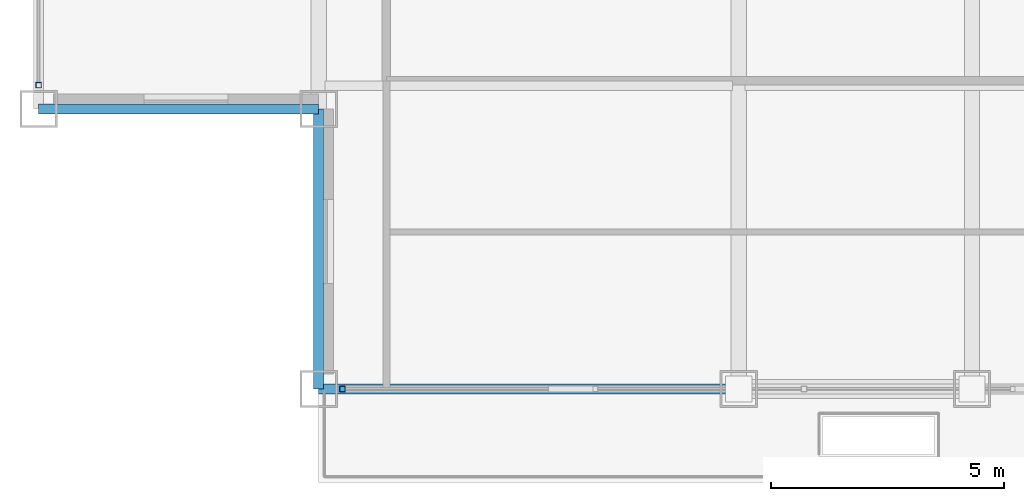
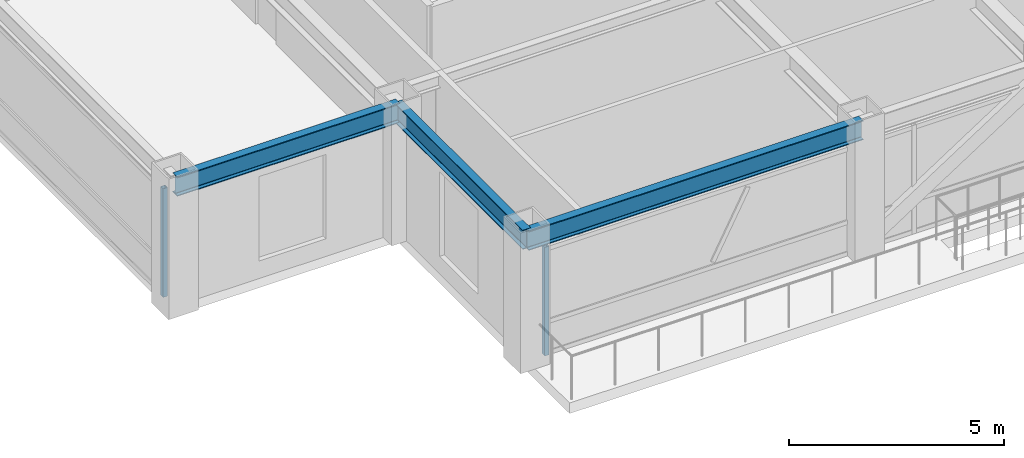
# One storey, part 2 of 30: 3 beams, 2 members, 2 elements without a shape of their own.
"""IFC4 building model written with IfcOpenShell, lengths in metres."""

from ifc_helpers import new_model, si_unit, direction, frame, origin, origin_2d, place, context, subcontext, project, spatial, hollow_rectangle, i_section, extrude, source, transform, mapped, material, material_profile, profile_set, type_object, element, aggregate, save


model = new_model("IFC4")

# Units and contexts
model_context = context("Model", 3, precision=1e-05, world=origin(), true_north=direction((0.0, 1.0)))
body_context = subcontext(model_context, "Body", "Model", "MODEL_VIEW")
ifc_project = project(units=[si_unit("LENGTHUNIT", "METRE"), si_unit("AREAUNIT", "SQUARE_METRE"), si_unit("VOLUMEUNIT", "CUBIC_METRE"), si_unit("PLANEANGLEUNIT", "RADIAN"), si_unit("MASSUNIT", "GRAM", prefix="KILO")], contexts=[model_context])

# Site, building, storey
site_placement = place(None, origin())
site = spatial("IfcSite", under=ifc_project, at=site_placement, CompositionType="ELEMENT")
building_placement = place(site_placement, origin())
building = spatial("IfcBuilding", under=site, at=building_placement, Name="Khorayat Bourse Tower", CompositionType="ELEMENT")
storey_placement = place(building_placement, frame((0.0, 0.0, 326.300048828125)))
storey = spatial("IfcBuildingStorey", under=building, at=storey_placement, Name="L77", CompositionType="ELEMENT", Elevation=326.300048828125)

# Beams
ifc_material_1 = material(Name="Steel ASTM A992 Grade 50", Category="steel")
ifc_material_profile_1 = material_profile(ifc_material_1, i_section(OverallWidth=0.214111328125, OverallDepth=0.549072265625, WebThickness=0.0146484375, FlangeThickness=0.023681640625, FilletRadius=0.013916015625, at=origin_2d()), Name="W530X138")
ifc_profile_set_1 = profile_set([ifc_material_profile_1], Name="Steel ASTM A992 Grade 50")
beam_type = type_object("IfcBeamType", Name="BM-SPAN-530", PredefinedType="SPANDREL", material=ifc_profile_set_1)
shared_shape_1 = source(origin(), body_context, "Body", "SweptSolid", [
    extrude(i_section(OverallWidth=0.214111328125, OverallDepth=0.549072265625, WebThickness=0.0146484375, FlangeThickness=0.023681640625, FilletRadius=0.013916015625, at=origin_2d()), origin(), (0.0, 0.0, 1.0), 9.0),
])
beam_placement = place(storey_placement, frame((-20.0, -26.0, 3.46533203125), z_axis=(1.0, 0.0, 0.0), x_axis=(0.0, 1.0, 0.0)))
element("IfcBeam", 1, at=beam_placement, inside=storey, type_object=beam_type, Name="L77 BM-SPAN-530 BM-L77-SPN-024", PredefinedType="SPANDREL", context=body_context, shape_type="MappedRepresentation", body=[
    mapped(shared_shape_1, transform((0.0, 0.0, 0.0), scale=1.0)),
])
shared_shape_2 = source(origin(), body_context, "Body", "SweptSolid", [
    extrude(i_section(OverallWidth=0.214111328125, OverallDepth=0.549072265625, WebThickness=0.0146484375, FlangeThickness=0.023681640625, FilletRadius=0.013916015625, at=origin_2d()), origin(), (0.0, 0.0, 1.0), 6.0),
])
for number, where, z_axis, x_axis, name in (
    (2, (-26.0, -20.0, 3.46533203125), (1.0, 0.0, 0.0), (0.0, 1.0, 0.0), "L77 BM-SPAN-530 BM-L77-SPN-054"),
    (3, (-20.0, -26.0, 3.46533203125), (0.0, 1.0, 0.0), (-1.0, 0.0, 0.0), "L77 BM-SPAN-530 BM-L77-SPN-055"),
):
    element("IfcBeam", number, at=place(storey_placement, frame(where, z_axis=z_axis, x_axis=x_axis)), inside=storey, type_object=beam_type, Name=name, PredefinedType="SPANDREL", context=body_context, shape_type="MappedRepresentation", body=[
        mapped(shared_shape_2, transform((0.0, 0.0, 0.0), scale=1.0)),
    ])

# Curtain wall, member
ifc_material_2 = material(Name="Aluminium EN AW-6063 T6", Category="aluminium")
curtain_wall_type = type_object("IfcCurtainWallType", Name="CW-SYS-04", PredefinedType="NOTDEFINED", material=ifc_material_2)
curtain_wall_1_placement = place(storey_placement, origin())
curtain_wall_1 = element("IfcCurtainWall", 4, at=curtain_wall_1_placement, inside=storey, type_object=curtain_wall_type, Name="L77 Curtain Wall CW-L77-S1", PredefinedType="NOTDEFINED")
ifc_material_profile_2 = material_profile(ifc_material_2, hollow_rectangle(XDim=0.1201171875, YDim=0.1201171875, WallThickness=0.0048828125, at=origin_2d()), Name="ALU 120x120x5")
ifc_profile_set_2 = profile_set([ifc_material_profile_2], Name="Aluminium EN AW-6063 T6")
member_type = type_object("IfcMemberType", Name="CWM-VERT-120", PredefinedType="MULLION", material=ifc_profile_set_2)
shared_shape_3 = source(origin(), body_context, "Body", "SweptSolid", [
    extrude(hollow_rectangle(XDim=0.1201171875, YDim=0.1201171875, WallThickness=0.0048828125, at=origin_2d()), origin(), (0.0, 0.0, 1.0), 3.08984375),
])
member_1_placement = place(storey_placement, frame((-19.489990234375, -26.0, 0.0), z_axis=(0.0, 0.0, 1.0), x_axis=(0.0, 1.0, 0.0)))
member_1 = element("IfcMember", 5, at=member_1_placement, type_object=member_type, Name="CW-L77-S1 Vertical Mullion 1", PredefinedType="MULLION", context=body_context, shape_type="MappedRepresentation", body=[
    mapped(shared_shape_3, transform((0.0, 0.0, 0.0), scale=1.0)),
])
aggregate(curtain_wall_1, [member_1])

curtain_wall_2_placement = place(storey_placement, origin())
curtain_wall_2 = element("IfcCurtainWall", 6, at=curtain_wall_2_placement, inside=storey, type_object=curtain_wall_type, Name="L77 Curtain Wall CW-L77-W1", PredefinedType="NOTDEFINED")
member_2_placement = place(storey_placement, frame((-26.0, -19.489990234375, 0.0), z_axis=(0.0, 0.0, 1.0), x_axis=(-1.0, 0.0, 0.0)))
member_2 = element("IfcMember", 7, at=member_2_placement, type_object=member_type, Name="CW-L77-W1 Vertical Mullion 1", PredefinedType="MULLION", context=body_context, shape_type="MappedRepresentation", body=[
    mapped(shared_shape_3, transform((0.0, 0.0, 0.0), scale=1.0)),
])
aggregate(curtain_wall_2, [member_2])

save(model, "model.ifc")
